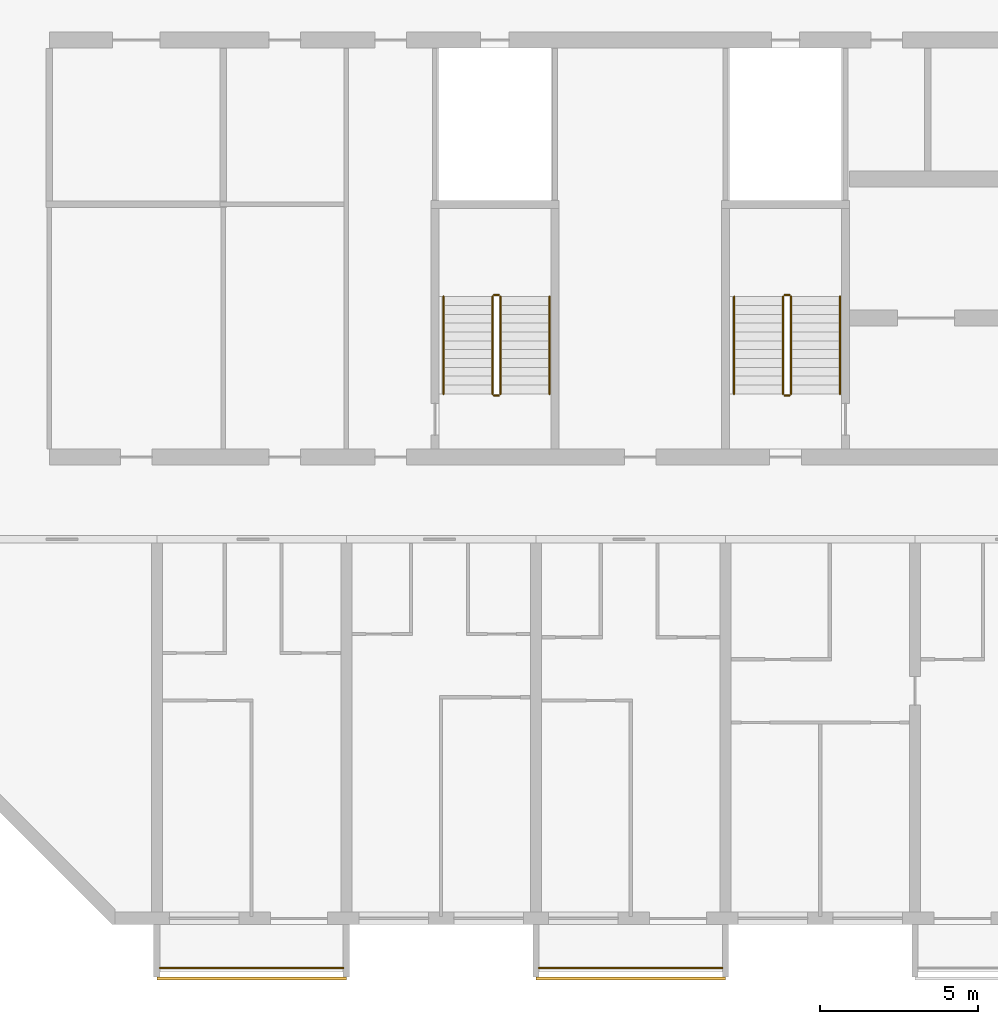
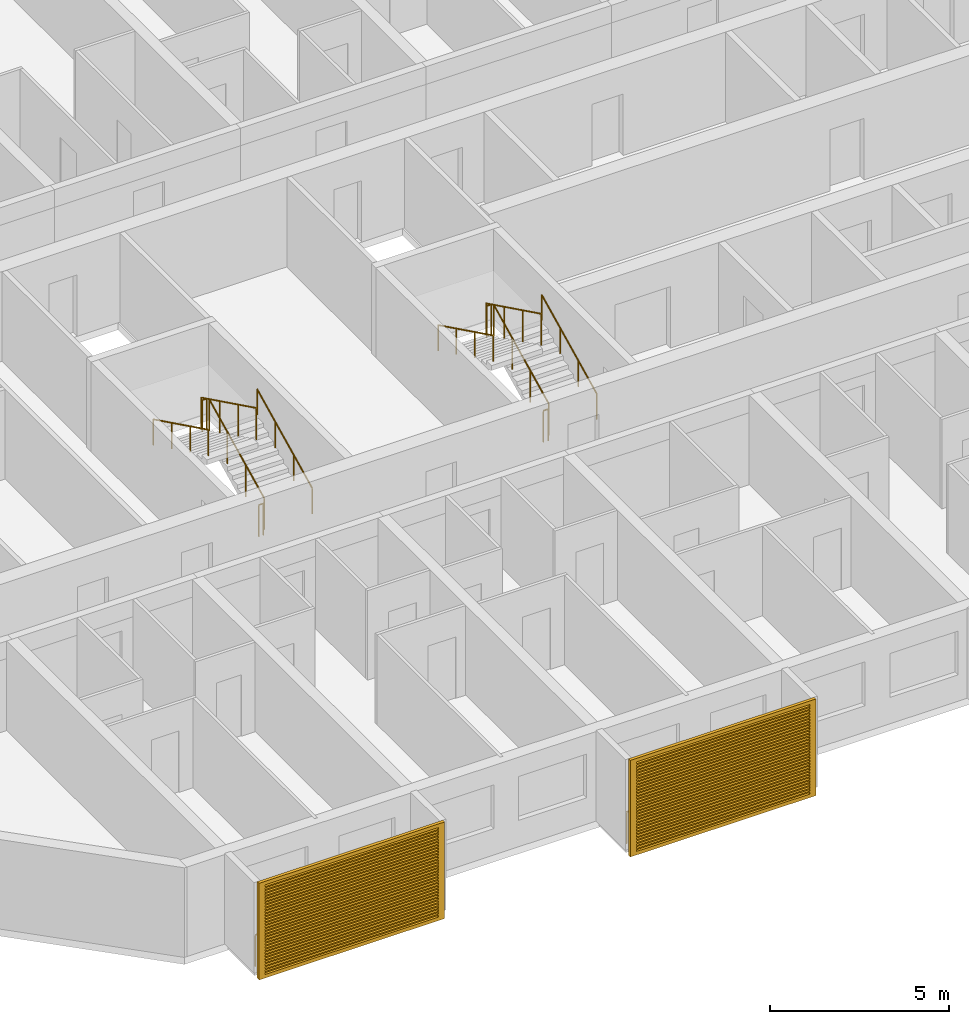
# One storey, part 17 of 27: 14 railings, 2 shading devices.
"""IFC4 building model written with IfcOpenShell, lengths in metres."""

from ifc_helpers import new_model, si_unit, direction, frame, origin, origin_2d, place, context, subcontext, project, spatial, polyline, circle, outline, extrude, source, transform, mapped, material, material_profile, profile_set, type_object, element, save


model = new_model("IFC4")

# Units and contexts
model_context = context("Model", 3, precision=1e-05, world=origin(), true_north=direction((0.0, 1.0)))
body_context = subcontext(model_context, "Body", "Model", "MODEL_VIEW")
ifc_project = project(units=[si_unit("LENGTHUNIT", "METRE"), si_unit("AREAUNIT", "SQUARE_METRE"), si_unit("VOLUMEUNIT", "CUBIC_METRE"), si_unit("PLANEANGLEUNIT", "RADIAN"), si_unit("MASSUNIT", "GRAM", prefix="KILO")], contexts=[model_context])

# Site, building, storey
site_placement = place(None, origin())
site = spatial("IfcSite", under=ifc_project, at=site_placement, CompositionType="ELEMENT")
building_placement = place(site_placement, origin())
building = spatial("IfcBuilding", under=site, at=building_placement, Name="Poui Terraces", CompositionType="ELEMENT")
storey_placement = place(building_placement, frame((0.0, 0.0, 76.199951171875)))
storey = spatial("IfcBuildingStorey", under=building, at=storey_placement, Name="L20", CompositionType="ELEMENT", Elevation=76.199951171875)

# Railings
ifc_material_1 = material(Name="Painted steel fretwork", Category="steel")
railing_type_1 = type_object("IfcRailingType", Name="BALCONY GUARD 1100", PredefinedType="GUARDRAIL", material=ifc_material_1)
for number, where, name in (
    (1, (12.10009765625, -1.570068359375, 0.0), "BALCONY GUARD"),
    (2, (24.10009765625, -1.570068359375, 0.0), "BALCONY GUARD"),
):
    element("IfcRailing", number, at=place(storey_placement, frame(where)), inside=storey, type_object=railing_type_1, Name=name, PredefinedType="GUARDRAIL", context=body_context, shape_type="SweptSolid", body=[
        extrude(circle(Radius=0.02392578125, at=origin_2d()), frame((0.0, 0.0, 1.076171875), z_axis=(1.0, 0.0, 0.0), x_axis=(0.0, 1.0, 0.0)), (0.0, 0.0, 1.0), 5.7998046875),
        extrude(circle(Radius=0.02099609375, at=origin_2d()), origin(), (0.0, 0.0, 1.0), 1.052001953125),
        extrude(circle(Radius=0.02099609375, at=origin_2d()), frame((0.966552734375, 0.0, 0.0)), (0.0, 0.0, 1.0), 1.052001953125),
        extrude(circle(Radius=0.02099609375, at=origin_2d()), frame((1.933349609375, 0.0, 0.0)), (0.0, 0.0, 1.0), 1.052001953125),
        extrude(circle(Radius=0.02099609375, at=origin_2d()), frame((2.89990234375, 0.0, 0.0)), (0.0, 0.0, 1.0), 1.052001953125),
        extrude(circle(Radius=0.02099609375, at=origin_2d()), frame((3.866455078125, 0.0, 0.0)), (0.0, 0.0, 1.0), 1.052001953125),
        extrude(circle(Radius=0.02099609375, at=origin_2d()), frame((4.833251953125, 0.0, 0.0)), (0.0, 0.0, 1.0), 1.052001953125),
        extrude(circle(Radius=0.02099609375, at=origin_2d()), frame((5.7998046875, 0.0, 0.0)), (0.0, 0.0, 1.0), 1.052001953125),
    ])
ifc_material_2 = material(Name="Galvanised steel balustrade", Category="steel")
railing_type_2 = type_object("IfcRailingType", Name="STAIR GUARD 1100", PredefinedType="GUARDRAIL", material=ifc_material_2)
railing_1_placement = place(storey_placement, frame((32.074951171875, 16.60009765625, 0.137451171875)))
element("IfcRailing", 3, at=railing_1_placement, inside=storey, type_object=railing_type_2, Name="L20 ST-CW stair guard 1", PredefinedType="GUARDRAIL", context=body_context, shape_type="SweptSolid", body=[
    extrude(circle(Radius=0.02392578125, at=origin_2d()), frame((0.0, 0.0, 1.076171875), z_axis=(0.0, 0.897578036475, 0.440855609512), x_axis=(-1.0, 0.0, 0.0)), (0.0, 0.0, 1.0), 3.43115234375),
    extrude(circle(Radius=0.02099609375, at=origin_2d()), origin(), (0.0, 0.0, 1.0), 1.052001953125),
    extrude(circle(Radius=0.02099609375, at=origin_2d()), frame((0.0, 1.026611328125, 0.504150390625)), (0.0, 0.0, 1.0), 1.052001953125),
    extrude(circle(Radius=0.02099609375, at=origin_2d()), frame((0.0, 2.05322265625, 1.008544921875)), (0.0, 0.0, 1.0), 1.052001953125),
    extrude(circle(Radius=0.02099609375, at=origin_2d()), frame((0.0, 3.079833984375, 1.5126953125)), (0.0, 0.0, 1.0), 1.052001953125),
])
railing_2_placement = place(storey_placement, frame((32.02490234375, 19.72998046875, 1.650146484375)))
element("IfcRailing", 4, at=railing_2_placement, inside=storey, type_object=railing_type_2, Name="L20 ST-CW stair guard 2", PredefinedType="GUARDRAIL", context=body_context, shape_type="SweptSolid", body=[
    extrude(circle(Radius=0.02392578125, at=origin_2d()), frame((0.0, 0.0, 1.076171875), z_axis=(-1.0, 0.0, 0.0), x_axis=(0.0, -1.0, 0.0)), (0.0, 0.0, 1.0), 0.14990234375),
    extrude(circle(Radius=0.02099609375, at=origin_2d()), origin(), (0.0, 0.0, 1.0), 1.052001953125),
    extrude(circle(Radius=0.02099609375, at=origin_2d()), frame((-0.14990234375, 0.0, 0.0)), (0.0, 0.0, 1.0), 1.052001953125),
])
railing_3_placement = place(storey_placement, frame((31.824951171875, 19.679931640625, 1.78759765625)))
element("IfcRailing", 5, at=railing_3_placement, inside=storey, type_object=railing_type_2, Name="L20 ST-CW stair guard 3", PredefinedType="GUARDRAIL", context=body_context, shape_type="SweptSolid", body=[
    extrude(circle(Radius=0.02392578125, at=origin_2d()), frame((0.0, 0.0, 1.076171875), z_axis=(0.0, -0.897606190399, 0.440798283751), x_axis=(1.0, 0.0, 0.0)), (0.0, 0.0, 1.0), 3.43115234375),
    extrude(circle(Radius=0.02099609375, at=origin_2d()), origin(), (0.0, 0.0, 1.0), 1.052001953125),
    extrude(circle(Radius=0.02099609375, at=origin_2d()), frame((0.0, -1.026611328125, 0.504150390625)), (0.0, 0.0, 1.0), 1.052001953125),
    extrude(circle(Radius=0.02099609375, at=origin_2d()), frame((0.0, -2.05322265625, 1.00830078125)), (0.0, 0.0, 1.0), 1.052001953125),
    extrude(circle(Radius=0.02099609375, at=origin_2d()), frame((0.0, -3.079833984375, 1.512451171875)), (0.0, 0.0, 1.0), 1.052001953125),
])
railing_4_placement = place(storey_placement, frame((32.02490234375, 16.550048828125, 0.0)))
element("IfcRailing", 6, at=railing_4_placement, inside=storey, type_object=railing_type_2, Name="L20 ST-CW stair guard 4", PredefinedType="GUARDRAIL", context=body_context, shape_type="SweptSolid", body=[
    extrude(circle(Radius=0.02392578125, at=origin_2d()), frame((0.0, 0.0, 1.076171875), z_axis=(-1.0, 0.0, 0.0), x_axis=(0.0, -1.0, 0.0)), (0.0, 0.0, 1.0), 0.14990234375),
    extrude(circle(Radius=0.02099609375, at=origin_2d()), origin(), (0.0, 0.0, 1.0), 1.052001953125),
    extrude(circle(Radius=0.02099609375, at=origin_2d()), frame((-0.14990234375, 0.0, 0.0)), (0.0, 0.0, 1.0), 1.052001953125),
])
railing_5_placement = place(storey_placement, frame((22.875, 16.60009765625, 0.137451171875)))
element("IfcRailing", 7, at=railing_5_placement, inside=storey, type_object=railing_type_2, Name="L20 ST-W stair guard 1", PredefinedType="GUARDRAIL", context=body_context, shape_type="SweptSolid", body=[
    extrude(circle(Radius=0.02392578125, at=origin_2d()), frame((0.0, 0.0, 1.076171875), z_axis=(0.0, 0.897578036475, 0.440855609512), x_axis=(-1.0, 0.0, 0.0)), (0.0, 0.0, 1.0), 3.43115234375),
    extrude(circle(Radius=0.02099609375, at=origin_2d()), origin(), (0.0, 0.0, 1.0), 1.052001953125),
    extrude(circle(Radius=0.02099609375, at=origin_2d()), frame((0.0, 1.026611328125, 0.504150390625)), (0.0, 0.0, 1.0), 1.052001953125),
    extrude(circle(Radius=0.02099609375, at=origin_2d()), frame((0.0, 2.05322265625, 1.008544921875)), (0.0, 0.0, 1.0), 1.052001953125),
    extrude(circle(Radius=0.02099609375, at=origin_2d()), frame((0.0, 3.079833984375, 1.5126953125)), (0.0, 0.0, 1.0), 1.052001953125),
])
railing_6_placement = place(storey_placement, frame((22.824951171875, 19.72998046875, 1.650146484375)))
element("IfcRailing", 8, at=railing_6_placement, inside=storey, type_object=railing_type_2, Name="L20 ST-W stair guard 2", PredefinedType="GUARDRAIL", context=body_context, shape_type="SweptSolid", body=[
    extrude(circle(Radius=0.02392578125, at=origin_2d()), frame((0.0, 0.0, 1.076171875), z_axis=(-1.0, 0.0, 0.0), x_axis=(0.0, -1.0, 0.0)), (0.0, 0.0, 1.0), 0.14990234375),
    extrude(circle(Radius=0.02099609375, at=origin_2d()), origin(), (0.0, 0.0, 1.0), 1.052001953125),
    extrude(circle(Radius=0.02099609375, at=origin_2d()), frame((-0.14990234375, 0.0, 0.0)), (0.0, 0.0, 1.0), 1.052001953125),
])
railing_7_placement = place(storey_placement, frame((22.625, 19.679931640625, 1.78759765625)))
element("IfcRailing", 9, at=railing_7_placement, inside=storey, type_object=railing_type_2, Name="L20 ST-W stair guard 3", PredefinedType="GUARDRAIL", context=body_context, shape_type="SweptSolid", body=[
    extrude(circle(Radius=0.02392578125, at=origin_2d()), frame((0.0, 0.0, 1.076171875), z_axis=(0.0, -0.897606190399, 0.440798283751), x_axis=(1.0, 0.0, 0.0)), (0.0, 0.0, 1.0), 3.43115234375),
    extrude(circle(Radius=0.02099609375, at=origin_2d()), origin(), (0.0, 0.0, 1.0), 1.052001953125),
    extrude(circle(Radius=0.02099609375, at=origin_2d()), frame((0.0, -1.026611328125, 0.504150390625)), (0.0, 0.0, 1.0), 1.052001953125),
    extrude(circle(Radius=0.02099609375, at=origin_2d()), frame((0.0, -2.05322265625, 1.00830078125)), (0.0, 0.0, 1.0), 1.052001953125),
    extrude(circle(Radius=0.02099609375, at=origin_2d()), frame((0.0, -3.079833984375, 1.512451171875)), (0.0, 0.0, 1.0), 1.052001953125),
])
railing_8_placement = place(storey_placement, frame((22.824951171875, 16.550048828125, 0.0)))
element("IfcRailing", 10, at=railing_8_placement, inside=storey, type_object=railing_type_2, Name="L20 ST-W stair guard 4", PredefinedType="GUARDRAIL", context=body_context, shape_type="SweptSolid", body=[
    extrude(circle(Radius=0.02392578125, at=origin_2d()), frame((0.0, 0.0, 1.076171875), z_axis=(-1.0, 0.0, 0.0), x_axis=(0.0, -1.0, 0.0)), (0.0, 0.0, 1.0), 0.14990234375),
    extrude(circle(Radius=0.02099609375, at=origin_2d()), origin(), (0.0, 0.0, 1.0), 1.052001953125),
    extrude(circle(Radius=0.02099609375, at=origin_2d()), frame((-0.14990234375, 0.0, 0.0)), (0.0, 0.0, 1.0), 1.052001953125),
])
ifc_material_3 = material(Name="Stainless steel handrail", Category="steel")
railing_type_3 = type_object("IfcRailingType", Name="STAIR HANDRAIL 900", PredefinedType="HANDRAIL", material=ifc_material_3)
railing_9_placement = place(storey_placement, frame((33.625, 16.60009765625, 0.137451171875)))
element("IfcRailing", 11, at=railing_9_placement, inside=storey, type_object=railing_type_3, Name="L20 ST-CW stair handrail 1", PredefinedType="HANDRAIL", context=body_context, shape_type="SweptSolid", body=[
    extrude(circle(Radius=0.02392578125, at=origin_2d()), frame((0.0, 0.0, 0.8759765625), z_axis=(0.0, 0.897578036475, 0.440855609512), x_axis=(-1.0, 0.0, 0.0)), (0.0, 0.0, 1.0), 3.43115234375),
    extrude(circle(Radius=0.02099609375, at=origin_2d()), origin(), (0.0, 0.0, 1.0), 0.851806640625),
    extrude(circle(Radius=0.02099609375, at=origin_2d()), frame((0.0, 1.026611328125, 0.504150390625)), (0.0, 0.0, 1.0), 0.851806640625),
    extrude(circle(Radius=0.02099609375, at=origin_2d()), frame((0.0, 2.05322265625, 1.008544921875)), (0.0, 0.0, 1.0), 0.851806640625),
    extrude(circle(Radius=0.02099609375, at=origin_2d()), frame((0.0, 3.079833984375, 1.5126953125)), (0.0, 0.0, 1.0), 0.851806640625),
])
railing_10_placement = place(storey_placement, frame((30.27490234375, 19.679931640625, 1.78759765625)))
element("IfcRailing", 12, at=railing_10_placement, inside=storey, type_object=railing_type_3, Name="L20 ST-CW stair handrail 2", PredefinedType="HANDRAIL", context=body_context, shape_type="SweptSolid", body=[
    extrude(circle(Radius=0.02392578125, at=origin_2d()), frame((0.0, 0.0, 0.8759765625), z_axis=(0.0, -0.897606190399, 0.440798283751), x_axis=(1.0, 0.0, 0.0)), (0.0, 0.0, 1.0), 3.43115234375),
    extrude(circle(Radius=0.02099609375, at=origin_2d()), origin(), (0.0, 0.0, 1.0), 0.851806640625),
    extrude(circle(Radius=0.02099609375, at=origin_2d()), frame((0.0, -1.026611328125, 0.504150390625)), (0.0, 0.0, 1.0), 0.851806640625),
    extrude(circle(Radius=0.02099609375, at=origin_2d()), frame((0.0, -2.05322265625, 1.00830078125)), (0.0, 0.0, 1.0), 0.851806640625),
    extrude(circle(Radius=0.02099609375, at=origin_2d()), frame((0.0, -3.079833984375, 1.512451171875)), (0.0, 0.0, 1.0), 0.851806640625),
])
railing_11_placement = place(storey_placement, frame((24.425048828125, 16.60009765625, 0.137451171875)))
element("IfcRailing", 13, at=railing_11_placement, inside=storey, type_object=railing_type_3, Name="L20 ST-W stair handrail 1", PredefinedType="HANDRAIL", context=body_context, shape_type="SweptSolid", body=[
    extrude(circle(Radius=0.02392578125, at=origin_2d()), frame((0.0, 0.0, 0.8759765625), z_axis=(0.0, 0.897578036475, 0.440855609512), x_axis=(-1.0, 0.0, 0.0)), (0.0, 0.0, 1.0), 3.43115234375),
    extrude(circle(Radius=0.02099609375, at=origin_2d()), origin(), (0.0, 0.0, 1.0), 0.851806640625),
    extrude(circle(Radius=0.02099609375, at=origin_2d()), frame((0.0, 1.026611328125, 0.504150390625)), (0.0, 0.0, 1.0), 0.851806640625),
    extrude(circle(Radius=0.02099609375, at=origin_2d()), frame((0.0, 2.05322265625, 1.008544921875)), (0.0, 0.0, 1.0), 0.851806640625),
    extrude(circle(Radius=0.02099609375, at=origin_2d()), frame((0.0, 3.079833984375, 1.5126953125)), (0.0, 0.0, 1.0), 0.851806640625),
])
railing_12_placement = place(storey_placement, frame((21.074951171875, 19.679931640625, 1.78759765625)))
element("IfcRailing", 14, at=railing_12_placement, inside=storey, type_object=railing_type_3, Name="L20 ST-W stair handrail 2", PredefinedType="HANDRAIL", context=body_context, shape_type="SweptSolid", body=[
    extrude(circle(Radius=0.02392578125, at=origin_2d()), frame((0.0, 0.0, 0.8759765625), z_axis=(0.0, -0.897606190399, 0.440798283751), x_axis=(1.0, 0.0, 0.0)), (0.0, 0.0, 1.0), 3.43115234375),
    extrude(circle(Radius=0.02099609375, at=origin_2d()), origin(), (0.0, 0.0, 1.0), 0.851806640625),
    extrude(circle(Radius=0.02099609375, at=origin_2d()), frame((0.0, -1.026611328125, 0.504150390625)), (0.0, 0.0, 1.0), 0.851806640625),
    extrude(circle(Radius=0.02099609375, at=origin_2d()), frame((0.0, -2.05322265625, 1.00830078125)), (0.0, 0.0, 1.0), 0.851806640625),
    extrude(circle(Radius=0.02099609375, at=origin_2d()), frame((0.0, -3.079833984375, 1.512451171875)), (0.0, 0.0, 1.0), 0.851806640625),
])

# Shading devices
ifc_material_4 = material(Name="Aluminium louvre", Category="aluminium")
ifc_material_profile = material_profile(ifc_material_4, outline(polyline([(-3.0, -1.64990234375), (3.0, -1.64990234375), (3.0, 1.64990234375), (-3.0, 1.64990234375), (-3.0, -1.64990234375)]), holes=[polyline([(-2.800048828125, -1.530029296875), (2.800048828125, -1.530029296875), (2.800048828125, -1.469970703125), (-2.800048828125, -1.469970703125), (-2.800048828125, -1.530029296875)]), polyline([(-2.800048828125, -1.429931640625), (2.800048828125, -1.429931640625), (2.800048828125, -1.3701171875), (-2.800048828125, -1.3701171875), (-2.800048828125, -1.429931640625)]), polyline([(-2.800048828125, -1.330078125), (2.800048828125, -1.330078125), (2.800048828125, -1.27001953125), (-2.800048828125, -1.27001953125), (-2.800048828125, -1.330078125)]), polyline([(-2.800048828125, -1.22998046875), (2.800048828125, -1.22998046875), (2.800048828125, -1.169921875), (-2.800048828125, -1.169921875), (-2.800048828125, -1.22998046875)]), polyline([(-2.800048828125, -1.1298828125), (2.800048828125, -1.1298828125), (2.800048828125, -1.070068359375), (-2.800048828125, -1.070068359375), (-2.800048828125, -1.1298828125)]), polyline([(-2.800048828125, -1.030029296875), (2.800048828125, -1.030029296875), (2.800048828125, -0.969970703125), (-2.800048828125, -0.969970703125), (-2.800048828125, -1.030029296875)]), polyline([(-2.800048828125, -0.929931640625), (2.800048828125, -0.929931640625), (2.800048828125, -0.8701171875), (-2.800048828125, -0.8701171875), (-2.800048828125, -0.929931640625)]), polyline([(-2.800048828125, -0.830078125), (2.800048828125, -0.830078125), (2.800048828125, -0.77001953125), (-2.800048828125, -0.77001953125), (-2.800048828125, -0.830078125)]), polyline([(-2.800048828125, -0.72998046875), (2.800048828125, -0.72998046875), (2.800048828125, -0.669921875), (-2.800048828125, -0.669921875), (-2.800048828125, -0.72998046875)]), polyline([(-2.800048828125, -0.6298828125), (2.800048828125, -0.6298828125), (2.800048828125, -0.570068359375), (-2.800048828125, -0.570068359375), (-2.800048828125, -0.6298828125)]), polyline([(-2.800048828125, -0.530029296875), (2.800048828125, -0.530029296875), (2.800048828125, -0.469970703125), (-2.800048828125, -0.469970703125), (-2.800048828125, -0.530029296875)]), polyline([(-2.800048828125, -0.429931640625), (2.800048828125, -0.429931640625), (2.800048828125, -0.3701171875), (-2.800048828125, -0.3701171875), (-2.800048828125, -0.429931640625)]), polyline([(-2.800048828125, -0.330078125), (2.800048828125, -0.330078125), (2.800048828125, -0.27001953125), (-2.800048828125, -0.27001953125), (-2.800048828125, -0.330078125)]), polyline([(-2.800048828125, -0.22998046875), (2.800048828125, -0.22998046875), (2.800048828125, -0.169921875), (-2.800048828125, -0.169921875), (-2.800048828125, -0.22998046875)]), polyline([(-2.800048828125, -0.1298828125), (2.800048828125, -0.1298828125), (2.800048828125, -0.070068359375), (-2.800048828125, -0.070068359375), (-2.800048828125, -0.1298828125)]), polyline([(-2.800048828125, -0.030029296875), (2.800048828125, -0.030029296875), (2.800048828125, 0.030029296875), (-2.800048828125, 0.030029296875), (-2.800048828125, -0.030029296875)]), polyline([(-2.800048828125, 0.070068359375), (2.800048828125, 0.070068359375), (2.800048828125, 0.1298828125), (-2.800048828125, 0.1298828125), (-2.800048828125, 0.070068359375)]), polyline([(-2.800048828125, 0.169921875), (2.800048828125, 0.169921875), (2.800048828125, 0.22998046875), (-2.800048828125, 0.22998046875), (-2.800048828125, 0.169921875)]), polyline([(-2.800048828125, 0.27001953125), (2.800048828125, 0.27001953125), (2.800048828125, 0.330078125), (-2.800048828125, 0.330078125), (-2.800048828125, 0.27001953125)]), polyline([(-2.800048828125, 0.3701171875), (2.800048828125, 0.3701171875), (2.800048828125, 0.429931640625), (-2.800048828125, 0.429931640625), (-2.800048828125, 0.3701171875)]), polyline([(-2.800048828125, 0.469970703125), (2.800048828125, 0.469970703125), (2.800048828125, 0.530029296875), (-2.800048828125, 0.530029296875), (-2.800048828125, 0.469970703125)]), polyline([(-2.800048828125, 0.570068359375), (2.800048828125, 0.570068359375), (2.800048828125, 0.6298828125), (-2.800048828125, 0.6298828125), (-2.800048828125, 0.570068359375)]), polyline([(-2.800048828125, 0.669921875), (2.800048828125, 0.669921875), (2.800048828125, 0.72998046875), (-2.800048828125, 0.72998046875), (-2.800048828125, 0.669921875)]), polyline([(-2.800048828125, 0.77001953125), (2.800048828125, 0.77001953125), (2.800048828125, 0.830078125), (-2.800048828125, 0.830078125), (-2.800048828125, 0.77001953125)]), polyline([(-2.800048828125, 0.8701171875), (2.800048828125, 0.8701171875), (2.800048828125, 0.929931640625), (-2.800048828125, 0.929931640625), (-2.800048828125, 0.8701171875)]), polyline([(-2.800048828125, 0.969970703125), (2.800048828125, 0.969970703125), (2.800048828125, 1.030029296875), (-2.800048828125, 1.030029296875), (-2.800048828125, 0.969970703125)]), polyline([(-2.800048828125, 1.070068359375), (2.800048828125, 1.070068359375), (2.800048828125, 1.1298828125), (-2.800048828125, 1.1298828125), (-2.800048828125, 1.070068359375)]), polyline([(-2.800048828125, 1.169921875), (2.800048828125, 1.169921875), (2.800048828125, 1.22998046875), (-2.800048828125, 1.22998046875), (-2.800048828125, 1.169921875)]), polyline([(-2.800048828125, 1.27001953125), (2.800048828125, 1.27001953125), (2.800048828125, 1.330078125), (-2.800048828125, 1.330078125), (-2.800048828125, 1.27001953125)]), polyline([(-2.800048828125, 1.3701171875), (2.800048828125, 1.3701171875), (2.800048828125, 1.429931640625), (-2.800048828125, 1.429931640625), (-2.800048828125, 1.3701171875)]), polyline([(-2.800048828125, 1.469970703125), (2.800048828125, 1.469970703125), (2.800048828125, 1.530029296875), (-2.800048828125, 1.530029296875), (-2.800048828125, 1.469970703125)])]), Name="JALOUSIE LOUVRE SHUTTER 6000X3300")
ifc_profile_set = profile_set([ifc_material_profile], Name="Aluminium louvre")
shading_device_type = type_object("IfcShadingDeviceType", Name="JALOUSIE LOUVRE SHUTTER 6000X3300", PredefinedType="JALOUSIE", material=ifc_profile_set)
shared_shape = source(origin(), body_context, "Body", "SweptSolid", [
    extrude(outline(polyline([(-3.0, -1.64990234375), (3.0, -1.64990234375), (3.0, 1.64990234375), (-3.0, 1.64990234375), (-3.0, -1.64990234375)]), holes=[polyline([(-2.800048828125, -1.530029296875), (2.800048828125, -1.530029296875), (2.800048828125, -1.469970703125), (-2.800048828125, -1.469970703125), (-2.800048828125, -1.530029296875)]), polyline([(-2.800048828125, -1.429931640625), (2.800048828125, -1.429931640625), (2.800048828125, -1.3701171875), (-2.800048828125, -1.3701171875), (-2.800048828125, -1.429931640625)]), polyline([(-2.800048828125, -1.330078125), (2.800048828125, -1.330078125), (2.800048828125, -1.27001953125), (-2.800048828125, -1.27001953125), (-2.800048828125, -1.330078125)]), polyline([(-2.800048828125, -1.22998046875), (2.800048828125, -1.22998046875), (2.800048828125, -1.169921875), (-2.800048828125, -1.169921875), (-2.800048828125, -1.22998046875)]), polyline([(-2.800048828125, -1.1298828125), (2.800048828125, -1.1298828125), (2.800048828125, -1.070068359375), (-2.800048828125, -1.070068359375), (-2.800048828125, -1.1298828125)]), polyline([(-2.800048828125, -1.030029296875), (2.800048828125, -1.030029296875), (2.800048828125, -0.969970703125), (-2.800048828125, -0.969970703125), (-2.800048828125, -1.030029296875)]), polyline([(-2.800048828125, -0.929931640625), (2.800048828125, -0.929931640625), (2.800048828125, -0.8701171875), (-2.800048828125, -0.8701171875), (-2.800048828125, -0.929931640625)]), polyline([(-2.800048828125, -0.830078125), (2.800048828125, -0.830078125), (2.800048828125, -0.77001953125), (-2.800048828125, -0.77001953125), (-2.800048828125, -0.830078125)]), polyline([(-2.800048828125, -0.72998046875), (2.800048828125, -0.72998046875), (2.800048828125, -0.669921875), (-2.800048828125, -0.669921875), (-2.800048828125, -0.72998046875)]), polyline([(-2.800048828125, -0.6298828125), (2.800048828125, -0.6298828125), (2.800048828125, -0.570068359375), (-2.800048828125, -0.570068359375), (-2.800048828125, -0.6298828125)]), polyline([(-2.800048828125, -0.530029296875), (2.800048828125, -0.530029296875), (2.800048828125, -0.469970703125), (-2.800048828125, -0.469970703125), (-2.800048828125, -0.530029296875)]), polyline([(-2.800048828125, -0.429931640625), (2.800048828125, -0.429931640625), (2.800048828125, -0.3701171875), (-2.800048828125, -0.3701171875), (-2.800048828125, -0.429931640625)]), polyline([(-2.800048828125, -0.330078125), (2.800048828125, -0.330078125), (2.800048828125, -0.27001953125), (-2.800048828125, -0.27001953125), (-2.800048828125, -0.330078125)]), polyline([(-2.800048828125, -0.22998046875), (2.800048828125, -0.22998046875), (2.800048828125, -0.169921875), (-2.800048828125, -0.169921875), (-2.800048828125, -0.22998046875)]), polyline([(-2.800048828125, -0.1298828125), (2.800048828125, -0.1298828125), (2.800048828125, -0.070068359375), (-2.800048828125, -0.070068359375), (-2.800048828125, -0.1298828125)]), polyline([(-2.800048828125, -0.030029296875), (2.800048828125, -0.030029296875), (2.800048828125, 0.030029296875), (-2.800048828125, 0.030029296875), (-2.800048828125, -0.030029296875)]), polyline([(-2.800048828125, 0.070068359375), (2.800048828125, 0.070068359375), (2.800048828125, 0.1298828125), (-2.800048828125, 0.1298828125), (-2.800048828125, 0.070068359375)]), polyline([(-2.800048828125, 0.169921875), (2.800048828125, 0.169921875), (2.800048828125, 0.22998046875), (-2.800048828125, 0.22998046875), (-2.800048828125, 0.169921875)]), polyline([(-2.800048828125, 0.27001953125), (2.800048828125, 0.27001953125), (2.800048828125, 0.330078125), (-2.800048828125, 0.330078125), (-2.800048828125, 0.27001953125)]), polyline([(-2.800048828125, 0.3701171875), (2.800048828125, 0.3701171875), (2.800048828125, 0.429931640625), (-2.800048828125, 0.429931640625), (-2.800048828125, 0.3701171875)]), polyline([(-2.800048828125, 0.469970703125), (2.800048828125, 0.469970703125), (2.800048828125, 0.530029296875), (-2.800048828125, 0.530029296875), (-2.800048828125, 0.469970703125)]), polyline([(-2.800048828125, 0.570068359375), (2.800048828125, 0.570068359375), (2.800048828125, 0.6298828125), (-2.800048828125, 0.6298828125), (-2.800048828125, 0.570068359375)]), polyline([(-2.800048828125, 0.669921875), (2.800048828125, 0.669921875), (2.800048828125, 0.72998046875), (-2.800048828125, 0.72998046875), (-2.800048828125, 0.669921875)]), polyline([(-2.800048828125, 0.77001953125), (2.800048828125, 0.77001953125), (2.800048828125, 0.830078125), (-2.800048828125, 0.830078125), (-2.800048828125, 0.77001953125)]), polyline([(-2.800048828125, 0.8701171875), (2.800048828125, 0.8701171875), (2.800048828125, 0.929931640625), (-2.800048828125, 0.929931640625), (-2.800048828125, 0.8701171875)]), polyline([(-2.800048828125, 0.969970703125), (2.800048828125, 0.969970703125), (2.800048828125, 1.030029296875), (-2.800048828125, 1.030029296875), (-2.800048828125, 0.969970703125)]), polyline([(-2.800048828125, 1.070068359375), (2.800048828125, 1.070068359375), (2.800048828125, 1.1298828125), (-2.800048828125, 1.1298828125), (-2.800048828125, 1.070068359375)]), polyline([(-2.800048828125, 1.169921875), (2.800048828125, 1.169921875), (2.800048828125, 1.22998046875), (-2.800048828125, 1.22998046875), (-2.800048828125, 1.169921875)]), polyline([(-2.800048828125, 1.27001953125), (2.800048828125, 1.27001953125), (2.800048828125, 1.330078125), (-2.800048828125, 1.330078125), (-2.800048828125, 1.27001953125)]), polyline([(-2.800048828125, 1.3701171875), (2.800048828125, 1.3701171875), (2.800048828125, 1.429931640625), (-2.800048828125, 1.429931640625), (-2.800048828125, 1.3701171875)]), polyline([(-2.800048828125, 1.469970703125), (2.800048828125, 1.469970703125), (2.800048828125, 1.530029296875), (-2.800048828125, 1.530029296875), (-2.800048828125, 1.469970703125)])]), origin(), (0.0, 0.0, 1.0), 0.099853515625),
])
for number, where, z_axis, x_axis, name in (
    (15, (15.0, -1.85009765625, 1.449951171875), (0.0, -1.0, 0.0), (1.0, 0.0, 0.0), "JALOUSIE LOUVRE SHUTTER"),
    (16, (27.0, -1.85009765625, 1.449951171875), (0.0, -1.0, 0.0), (1.0, 0.0, 0.0), "JALOUSIE LOUVRE SHUTTER"),
):
    element("IfcShadingDevice", number, at=place(storey_placement, frame(where, z_axis=z_axis, x_axis=x_axis)), inside=storey, type_object=shading_device_type, Name=name, PredefinedType="JALOUSIE", context=body_context, shape_type="MappedRepresentation", body=[
        mapped(shared_shape, transform((0.0, 0.0, 0.0))),
    ])

save(model, "model.ifc")
